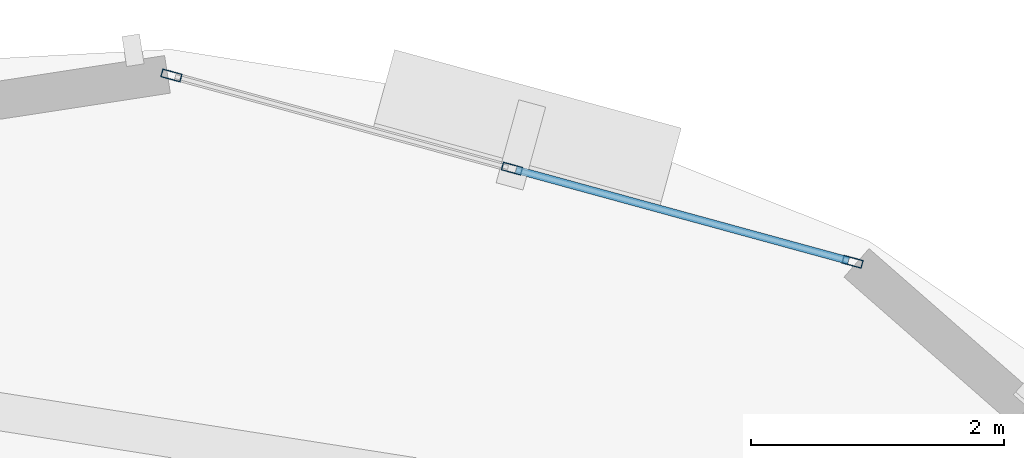
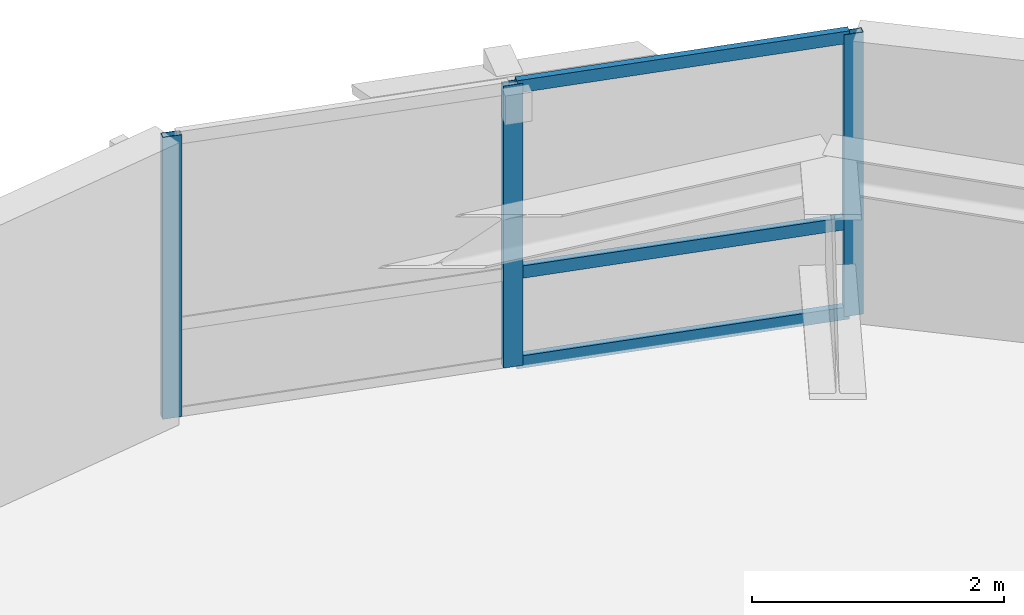
# One storey, part 5 of 11: 6 members, 1 element without a shape of its own.
"""IFC4 building model written with IfcOpenShell, lengths in metres."""

import ifcopenshell
import ifcopenshell.guid

model = None  # the IFC model being written
_history = None  # IfcOwnerHistory: only IFC2X3 demands one
_inside = {}  # id of a spatial element -> (the spatial element, [elements in it])
_under = {}  # id of a project, library or spatial element -> (it, [spatial elements below it])
_declared = {}  # id of a project -> (the project, [libraries it declares])
_typed = {}  # id of a type object -> (the type object, [elements of that type])
_made_of = {}  # id of a material, layer set ... -> (it, [elements and type objects made of it])


def new_model(schema):
    """Start an empty IFC model of exactly this schema.

    Asked for "IFC4X3", IfcOpenShell would pick the latest addendum, in which some entities
    have other attributes; the version numbers below select the first issue.
    IFC2X3 requires an IfcOwnerHistory on every rooted entity: one is made here for all.
    """
    global model, _history
    if schema == "IFC4X3":
        model = ifcopenshell.file(schema_version=(4, 3, 0, 0))
    else:
        model = ifcopenshell.file(schema=schema)
    _inside.clear()
    _under.clear()
    _declared.clear()
    _typed.clear()
    _made_of.clear()
    _history = None
    if model.schema == "IFC2X3":
        org = make("IfcOrganization", Name="unknown")
        user = make(
            "IfcPersonAndOrganization",
            ThePerson=make("IfcPerson", FamilyName="unknown"),
            TheOrganization=org,
        )
        app = make(
            "IfcApplication",
            ApplicationDeveloper=org,
            Version="unknown",
            ApplicationFullName="unknown",
            ApplicationIdentifier="unknown",
        )
        _history = make(
            "IfcOwnerHistory",
            OwningUser=user,
            OwningApplication=app,
            ChangeAction="ADDED",
            CreationDate=0,
        )
    return model


def make(cls, **values):
    """One entity of the class cls with the attributes given. An attribute that is None is left unset."""
    return model.create_entity(
        cls, **{name: value for name, value in values.items() if value is not None}
    )


def rooted(cls, **values):
    """An entity with a GlobalId (a new one), such as an element, a storey or a relation."""
    return make(cls, GlobalId=ifcopenshell.guid.new(), OwnerHistory=_history, **values)


def si_unit(unit_type, name, prefix=None):
    """IfcSIUnit, for example si_unit("LENGTHUNIT", "METRE", prefix="MILLI")."""
    return make("IfcSIUnit", UnitType=unit_type, Prefix=prefix, Name=name)


def assignment(units):
    """IfcUnitAssignment: the units of a project."""
    return None if units is None else make("IfcUnitAssignment", Units=units)


def point(xyz):
    """IfcCartesianPoint."""
    return None if xyz is None else make("IfcCartesianPoint", Coordinates=xyz)


def direction(xyz):
    """IfcDirection."""
    return None if xyz is None else make("IfcDirection", DirectionRatios=xyz)


def frame(location, z_axis=None, x_axis=None):
    """IfcAxis2Placement3D, a coordinate frame: its origin and axes. An axis left out is left unset."""
    return make(
        "IfcAxis2Placement3D",
        Location=point(location),
        Axis=direction(z_axis),
        RefDirection=direction(x_axis),
    )


def frame_2d(location, x_axis=None):
    """IfcAxis2Placement2D, a coordinate frame in the plane: its origin and x axis."""
    return make(
        "IfcAxis2Placement2D", Location=point(location), RefDirection=direction(x_axis)
    )


def origin():
    """The frame at (0, 0, 0) with its axes left unset."""
    return frame((0.0, 0.0, 0.0))


def origin_2d():
    """The frame at (0, 0) in the plane with its x axis left unset."""
    return frame_2d((0.0, 0.0))


def place(relative_to, where):
    """IfcLocalPlacement: puts the frame where relative to a parent placement (None: the world)."""
    return make(
        "IfcLocalPlacement", PlacementRelTo=relative_to, RelativePlacement=where
    )


def context(
    kind, dimensions, precision=None, world=None, true_north=None, identifier=None
):
    """IfcGeometricRepresentationContext, for example the 3D "Model" context."""
    return make(
        "IfcGeometricRepresentationContext",
        ContextIdentifier=identifier,
        ContextType=kind,
        CoordinateSpaceDimension=dimensions,
        Precision=precision,
        WorldCoordinateSystem=world,
        TrueNorth=true_north,
    )


def subcontext(parent, identifier, kind, view, scale=None):
    """IfcGeometricRepresentationSubContext, for example "Body" below "Model"."""
    return make(
        "IfcGeometricRepresentationSubContext",
        ContextIdentifier=identifier,
        ContextType=kind,
        ParentContext=parent,
        TargetScale=scale,
        TargetView=view,
    )


def project(units=None, contexts=None):
    """IfcProject with its units and contexts."""
    return rooted(
        "IfcProject",
        Name="project",
        RepresentationContexts=contexts,
        UnitsInContext=assignment(units),
    )


def spatial(cls, under=None, at=None, **own):
    """A site, building, storey or space (cls), placed at a placement, below another one or the project."""
    s = rooted(cls, ObjectPlacement=at, **own)
    if under is not None:
        _under.setdefault(under.id(), (under, []))[1].append(s)
    return s


def profile(cls, at=None, kind="AREA", **sizes):
    """A parametric profile (cls). Its sizes go by their IFC names, for example OverallWidth=200.0."""
    return make(cls, ProfileType=kind, Position=at, **sizes)


def hollow_rectangle(**sizes):
    """IfcRectangleHollowProfileDef."""
    return profile("IfcRectangleHollowProfileDef", **sizes)


def extrude(swept, where, along, depth):
    """IfcExtrudedAreaSolid: the profile swept, set in the frame where, extruded along a direction by depth."""
    return make(
        "IfcExtrudedAreaSolid",
        SweptArea=swept,
        Position=where,
        ExtrudedDirection=direction(along),
        Depth=depth,
    )


def shape(context_of_items, identifier, shape_type, items):
    """IfcShapeRepresentation: the items that make up one representation, for example the "Body"."""
    return make(
        "IfcShapeRepresentation",
        ContextOfItems=context_of_items,
        RepresentationIdentifier=identifier,
        RepresentationType=shape_type,
        Items=items,
    )


def material(Name=None, Category=None):
    """IfcMaterial."""
    return make("IfcMaterial", Name=Name, Category=Category)


def layer(
    of_material, thickness, ventilated=None, Name=None, Category=None, Priority=None
):
    """IfcMaterialLayer: one layer of a wall or slab, of a material (None: an air gap)."""
    return make(
        "IfcMaterialLayer",
        Material=of_material,
        LayerThickness=thickness,
        IsVentilated=ventilated,
        Name=Name,
        Category=Category,
        Priority=Priority,
    )


def layer_set(layers, Name=None):
    """IfcMaterialLayerSet."""
    return make("IfcMaterialLayerSet", MaterialLayers=layers, LayerSetName=Name)


def material_profile(
    of_material, cross_section, Name=None, Category=None, Priority=None
):
    """IfcMaterialProfile: a cross section and its material."""
    return make(
        "IfcMaterialProfile",
        Name=Name,
        Material=of_material,
        Profile=cross_section,
        Priority=Priority,
        Category=Category,
    )


def profile_set(profiles, Name=None, composite=None):
    """IfcMaterialProfileSet."""
    return make(
        "IfcMaterialProfileSet",
        Name=Name,
        MaterialProfiles=profiles,
        CompositeProfile=composite,
    )


def made_of(thing, what):
    """Note that an element or type object is made of a material, layer set ...; save() writes the relation."""
    if what is not None:
        _made_of.setdefault(what.id(), (what, []))[1].append(thing)
    return thing


def type_object(cls, material=None, **own):
    """A type object (cls), such as IfcWallType, which elements share."""
    return made_of(rooted(cls, **own), material)


def element(
    cls,
    number,
    at=None,
    inside=None,
    cuts=None,
    type_object=None,
    material=None,
    context=None,
    identifier="Body",
    shape_type=None,
    held_by="IfcProductDefinitionShape",
    body=None,
    shapes=None,
    **own,
):
    """One element of the class cls, such as IfcWall. Its Tag is "e" and its number.

    at: its placement. inside: the storey or other place that contains it. cuts: it is an
    opening in that element (IfcRelVoidsElement). A single representation is given by context,
    identifier, shape_type and body (its items); several are given by shapes. held_by: the class
    of the entity that holds the representations. save() writes the other relations.
    """
    e = rooted(cls, Tag="e%d" % number, ObjectPlacement=at, **own)
    if body is not None:
        shapes = [shape(context, identifier, shape_type, body)]
    if shapes is not None:
        e.Representation = make(held_by, Representations=shapes)
    if inside is not None:
        _inside.setdefault(inside.id(), (inside, []))[1].append(e)
    if cuts is not None:
        rooted(
            "IfcRelVoidsElement", RelatingBuildingElement=cuts, RelatedOpeningElement=e
        )
    if type_object is not None:
        _typed.setdefault(type_object.id(), (type_object, []))[1].append(e)
    return made_of(e, material)


def aggregate(whole, parts):
    """IfcRelAggregates: a whole, such as a stair, and the parts it consists of."""
    return rooted("IfcRelAggregates", RelatingObject=whole, RelatedObjects=parts)


def save(model, path):
    """Write the relations noted so far, then the file.

    IfcRelAggregates (storeys below a building ...), IfcRelContainedInSpatialStructure (elements
    in a storey), IfcRelDefinesByType, IfcRelAssociatesMaterial and IfcRelDeclares: one each for
    every whole, place, type object, material and project.
    """
    for whole, parts in _under.values():
        aggregate(whole, parts)
    for where, things in _inside.values():
        rooted(
            "IfcRelContainedInSpatialStructure",
            RelatedElements=things,
            RelatingStructure=where,
        )
    for kind, things in _typed.values():
        rooted("IfcRelDefinesByType", RelatedObjects=things, RelatingType=kind)
    for what, things in _made_of.values():
        rooted("IfcRelAssociatesMaterial", RelatedObjects=things, RelatingMaterial=what)
    for by, libraries in _declared.values():
        rooted("IfcRelDeclares", RelatingContext=by, RelatedDefinitions=libraries)
    model.write(path)


model = new_model("IFC4")

# Units and contexts
model_context = context("Model", 3, precision=1e-05, world=origin(), true_north=direction((0.0, 1.0)))
body_context = subcontext(model_context, "Body", "Model", "MODEL_VIEW")
ifc_project = project(units=[si_unit("LENGTHUNIT", "METRE"), si_unit("AREAUNIT", "SQUARE_METRE"), si_unit("VOLUMEUNIT", "CUBIC_METRE"), si_unit("PLANEANGLEUNIT", "RADIAN"), si_unit("MASSUNIT", "GRAM", prefix="KILO"), si_unit("THERMODYNAMICTEMPERATUREUNIT", "KELVIN"), si_unit("POWERUNIT", "WATT")], contexts=[model_context])

# Site, building, storey
site_placement = place(None, origin())
site = spatial("IfcSite", under=ifc_project, at=site_placement, CompositionType="ELEMENT")
building_placement = place(site_placement, origin())
building = spatial("IfcBuilding", under=site, at=building_placement, Name="Ocrelia Relay Tower", CompositionType="ELEMENT")
storey_placement = place(building_placement, frame((0.0, 0.0, 284.39990234375)))
storey = spatial("IfcBuildingStorey", under=building, at=storey_placement, Name="L71", CompositionType="ELEMENT", Elevation=284.39990234375)

# Curtain wall, members
ifc_material_1 = material(Name="Aluminium and solar-control low-E glass", Category="aluminium")
ifc_layer = layer(ifc_material_1, 0.179931640625, Name="Aluminium and solar-control low-E glass")
ifc_layer_set = layer_set([ifc_layer], Name="Aluminium and solar-control low-E glass")
curtain_wall_type = type_object("IfcCurtainWallType", Name="CW-SYS-Z4-EXEC", PredefinedType="NOTDEFINED", material=ifc_layer_set)
curtain_wall_placement = place(storey_placement, origin())
curtain_wall = element("IfcCurtainWall", 1, at=curtain_wall_placement, inside=storey, type_object=curtain_wall_type, Name="L71 Elliptical Tower Curtain Wall Bay 01", PredefinedType="NOTDEFINED")
ifc_material_2 = material(Name="Anodised bronze aluminium", Category="aluminium")
ifc_material_profile_1 = material_profile(ifc_material_2, hollow_rectangle(XDim=0.06494140625, YDim=0.159912109375, WallThickness=0.0048828125, at=origin_2d()), Name="CW-MUL-160x65")
ifc_profile_set_1 = profile_set([ifc_material_profile_1], Name="Anodised bronze aluminium")
member_type_1 = type_object("IfcMemberType", Name="CW-SYS-Z4-EXEC-MUL", PredefinedType="MULLION", material=ifc_profile_set_1)
member_1_placement = place(storey_placement, frame((43.908447265625, 44.50732421875, 0.0), z_axis=(0.0, 0.0, 1.0), x_axis=(-0.263827168806, -0.96456996895, 0.0)))
member_1 = element("IfcMember", 2, at=member_1_placement, type_object=member_type_1, Name="CW-Z4 mullion 1", PredefinedType="MULLION", context=body_context, shape_type="SweptSolid", body=[
    extrude(hollow_rectangle(XDim=0.06494140625, YDim=0.159912109375, WallThickness=0.0048828125, at=origin_2d()), origin(), (0.0, 0.0, 1.0), 2.72998046875),
])
member_2_placement = place(storey_placement, frame((41.214599609375, 45.244140625, 0.0), z_axis=(0.0, 0.0, 1.0), x_axis=(-0.263827168806, -0.96456996895, 0.0)))
member_2 = element("IfcMember", 3, at=member_2_placement, type_object=member_type_1, Name="CW-Z4 mullion 2", PredefinedType="MULLION", context=body_context, shape_type="SweptSolid", body=[
    extrude(hollow_rectangle(XDim=0.06494140625, YDim=0.159912109375, WallThickness=0.0048828125, at=origin_2d()), origin(), (0.0, 0.0, 1.0), 2.72998046875),
])
member_3_placement = place(storey_placement, frame((38.52099609375, 45.980712890625, 0.0), z_axis=(0.0, 0.0, 1.0), x_axis=(-0.263827168806, -0.96456996895, 0.0)))
member_3 = element("IfcMember", 4, at=member_3_placement, type_object=member_type_1, Name="CW-Z4 mullion 3", PredefinedType="MULLION", context=body_context, shape_type="SweptSolid", body=[
    extrude(hollow_rectangle(XDim=0.06494140625, YDim=0.159912109375, WallThickness=0.0048828125, at=origin_2d()), origin(), (0.0, 0.0, 1.0), 2.72998046875),
])
ifc_material_profile_2 = material_profile(ifc_material_2, hollow_rectangle(XDim=0.06005859375, YDim=0.1201171875, WallThickness=0.0048828125, at=origin_2d()), Name="CW-TRN-120x60")
ifc_profile_set_2 = profile_set([ifc_material_profile_2], Name="Anodised bronze aluminium")
member_type_2 = type_object("IfcMemberType", Name="CW-SYS-Z4-EXEC-TRN", PredefinedType="USERDEFINED", material=ifc_profile_set_2)
member_4_placement = place(storey_placement, frame((43.876953125, 44.515869140625, 0.030029296875), z_axis=(-0.964556963003, 0.263874714823, 0.0), x_axis=(-0.263874714823, -0.964556963003, 0.0)))
member_4 = element("IfcMember", 5, at=member_4_placement, type_object=member_type_2, Name="CW-Z4 transom 1.1", ObjectType="TRANSOM", PredefinedType="USERDEFINED", context=body_context, shape_type="SweptSolid", body=[
    extrude(hollow_rectangle(XDim=0.06005859375, YDim=0.1201171875, WallThickness=0.0048828125, at=origin_2d()), origin(), (0.0, 0.0, 1.0), 2.7275390625),
])
member_5_placement = place(storey_placement, frame((43.876953125, 44.515869140625, 0.900146484375), z_axis=(-0.964556963003, 0.263874714823, 0.0), x_axis=(-0.263874714823, -0.964556963003, 0.0)))
member_5 = element("IfcMember", 6, at=member_5_placement, type_object=member_type_2, Name="CW-Z4 transom 1.2", ObjectType="TRANSOM", PredefinedType="USERDEFINED", context=body_context, shape_type="SweptSolid", body=[
    extrude(hollow_rectangle(XDim=0.06005859375, YDim=0.1201171875, WallThickness=0.0048828125, at=origin_2d()), origin(), (0.0, 0.0, 1.0), 2.7275390625),
])
member_6_placement = place(storey_placement, frame((43.876953125, 44.515869140625, 2.7001953125), z_axis=(-0.964556963003, 0.263874714823, 0.0), x_axis=(-0.263874714823, -0.964556963003, 0.0)))
member_6 = element("IfcMember", 7, at=member_6_placement, type_object=member_type_2, Name="CW-Z4 transom 1.3", ObjectType="TRANSOM", PredefinedType="USERDEFINED", context=body_context, shape_type="SweptSolid", body=[
    extrude(hollow_rectangle(XDim=0.06005859375, YDim=0.1201171875, WallThickness=0.0048828125, at=origin_2d()), origin(), (0.0, 0.0, 1.0), 2.7275390625),
])
aggregate(curtain_wall, [member_1, member_2, member_3, member_4, member_5, member_6])

save(model, "model.ifc")
